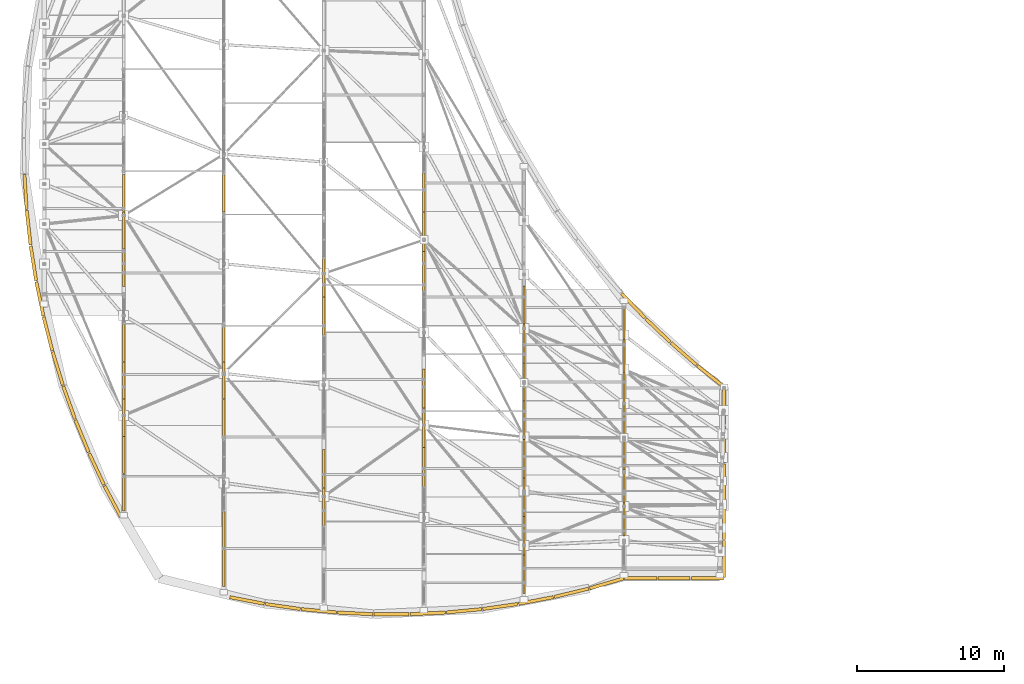
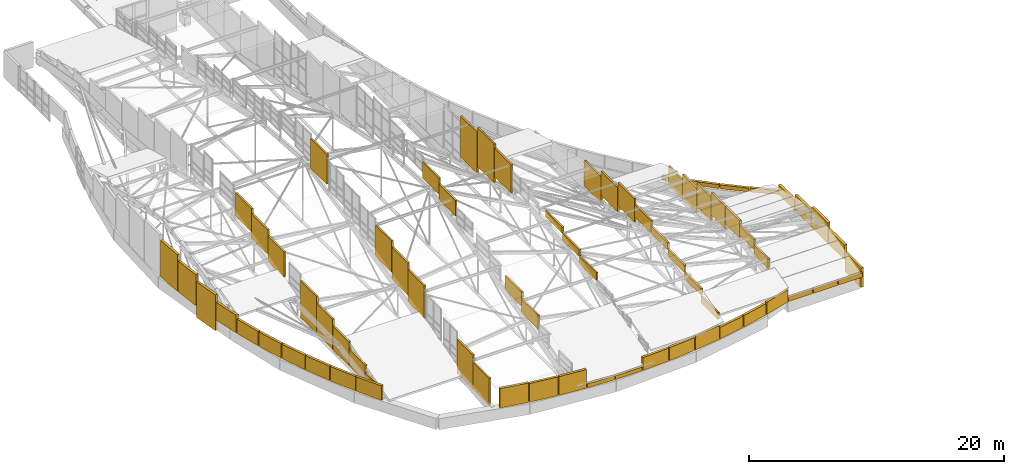
# One storey, part 181 of 188: 72 coverings.
"""IFC4 building model written with IfcOpenShell, lengths in metres."""

from ifc_helpers import new_model, si_unit, direction, frame, origin, origin_2d, place, context, subcontext, project, spatial, rectangle, extrude, material, layer, layer_set, type_object, element, save


model = new_model("IFC4")

# Units and contexts
model_context = context("Model", 3, precision=1e-05, world=origin(), true_north=direction((0.0, 1.0)))
body_context = subcontext(model_context, "Body", "Model", "MODEL_VIEW")
ifc_project = project(units=[si_unit("LENGTHUNIT", "METRE"), si_unit("AREAUNIT", "SQUARE_METRE"), si_unit("VOLUMEUNIT", "CUBIC_METRE"), si_unit("PLANEANGLEUNIT", "RADIAN"), si_unit("MASSUNIT", "GRAM", prefix="KILO")], contexts=[model_context])

# Site, building, storey
site_placement = place(None, origin())
site = spatial("IfcSite", under=ifc_project, at=site_placement, CompositionType="ELEMENT")
building_placement = place(site_placement, origin())
building = spatial("IfcBuilding", under=site, at=building_placement, Name="Kisaragi Civic Commons", CompositionType="ELEMENT")
storey_placement = place(building_placement, frame((0.0, 0.0, 9.60009765625)))
storey = spatial("IfcBuildingStorey", under=building, at=storey_placement, Name="L02", CompositionType="ELEMENT", Elevation=9.60009765625)

# Coverings
ifc_material = material(Name="Extruded Tokoname terracotta rainscreen tile", Category="masonry")
ifc_layer = layer(ifc_material, 0.0400390625, Name="Extruded Tokoname terracotta rainscreen tile", Category="masonry")
ifc_layer_set = layer_set([ifc_layer], Name="Extruded Tokoname terracotta rainscreen tile")
covering_type = type_object("IfcCoveringType", Name="CLD-01", PredefinedType="CLADDING", material=ifc_layer_set)
covering_1_placement = place(storey_placement, frame((6.800048828125, 9.620849609375, -0.420166015625), z_axis=(0.0, 0.0, 1.0), x_axis=(0.0, 1.0, 0.0)))
element("IfcCovering", 1, at=covering_1_placement, inside=storey, type_object=covering_type, Name="V1 L02 wave-step terracotta tympanum cladding 1", PredefinedType="CLADDING", context=body_context, shape_type="SweptSolid", body=[
    extrude(rectangle(XDim=2.519775390625, YDim=0.159912109375, at=origin_2d()), origin(), (0.0, 0.0, 1.0), 0.86669921875),
])
covering_2_placement = place(storey_placement, frame((6.800048828125, 12.16455078125, -0.420166015625), z_axis=(0.0, 0.0, 1.0), x_axis=(0.0, 1.0, 0.0)))
element("IfcCovering", 2, at=covering_2_placement, inside=storey, type_object=covering_type, Name="V1 L02 wave-step terracotta tympanum cladding 2", PredefinedType="CLADDING", context=body_context, shape_type="SweptSolid", body=[
    extrude(rectangle(XDim=2.52001953125, YDim=0.159912109375, at=origin_2d()), origin(), (0.0, 0.0, 1.0), 1.572265625),
])
covering_3_placement = place(storey_placement, frame((6.800048828125, 14.70849609375, -0.420166015625), z_axis=(0.0, 0.0, 1.0), x_axis=(0.0, 1.0, 0.0)))
element("IfcCovering", 3, at=covering_3_placement, inside=storey, type_object=covering_type, Name="V1 L02 wave-step terracotta tympanum cladding 3", PredefinedType="CLADDING", context=body_context, shape_type="SweptSolid", body=[
    extrude(rectangle(XDim=2.52001953125, YDim=0.159912109375, at=origin_2d()), origin(), (0.0, 0.0, 1.0), 2.26318359375),
])
covering_4_placement = place(storey_placement, frame((6.800048828125, 17.25244140625, -0.420166015625), z_axis=(0.0, 0.0, 1.0), x_axis=(0.0, 1.0, 0.0)))
element("IfcCovering", 4, at=covering_4_placement, inside=storey, type_object=covering_type, Name="V1 L02 wave-step terracotta tympanum cladding 4", PredefinedType="CLADDING", context=body_context, shape_type="SweptSolid", body=[
    extrude(rectangle(XDim=2.519775390625, YDim=0.159912109375, at=origin_2d()), origin(), (0.0, 0.0, 1.0), 2.8974609375),
])
covering_5_placement = place(storey_placement, frame((6.800048828125, 19.79638671875, -0.419921875), z_axis=(0.0, 0.0, 1.0), x_axis=(0.0, 1.0, 0.0)))
element("IfcCovering", 5, at=covering_5_placement, inside=storey, type_object=covering_type, Name="V1 L02 wave-step terracotta tympanum cladding 5", PredefinedType="CLADDING", context=body_context, shape_type="SweptSolid", body=[
    extrude(rectangle(XDim=2.52001953125, YDim=0.159912109375, at=origin_2d()), origin(), (0.0, 0.0, 1.0), 3.531494140625),
])
covering_6_placement = place(storey_placement, frame((6.800048828125, 24.884033203125, 1.8857421875), z_axis=(0.0, 0.0, 1.0), x_axis=(0.0, 1.0, 0.0)))
element("IfcCovering", 6, at=covering_6_placement, inside=storey, type_object=covering_type, Name="V1 L02 wave-step terracotta tympanum cladding 6", PredefinedType="CLADDING", context=body_context, shape_type="SweptSolid", body=[
    extrude(rectangle(XDim=2.519775390625, YDim=0.159912109375, at=origin_2d()), origin(), (0.0, 0.0, 1.0), 2.389892578125),
])
covering_7_placement = place(storey_placement, frame((6.800048828125, 27.427734375, 2.52001953125), z_axis=(0.0, 0.0, 1.0), x_axis=(0.0, 1.0, 0.0)))
element("IfcCovering", 7, at=covering_7_placement, inside=storey, type_object=covering_type, Name="V1 L02 wave-step terracotta tympanum cladding 7", PredefinedType="CLADDING", context=body_context, shape_type="SweptSolid", body=[
    extrude(rectangle(XDim=2.52001953125, YDim=0.159912109375, at=origin_2d()), origin(), (0.0, 0.0, 1.0), 2.3193359375),
])
covering_8_placement = place(storey_placement, frame((6.800048828125, 29.9716796875, 3.08544921875), z_axis=(0.0, 0.0, 1.0), x_axis=(0.0, 1.0, 0.0)))
element("IfcCovering", 8, at=covering_8_placement, inside=storey, type_object=covering_type, Name="V1 L02 wave-step terracotta tympanum cladding 8", PredefinedType="CLADDING", context=body_context, shape_type="SweptSolid", body=[
    extrude(rectangle(XDim=2.519775390625, YDim=0.159912109375, at=origin_2d()), origin(), (0.0, 0.0, 1.0), 2.2646484375),
])
covering_9_placement = place(storey_placement, frame((13.60009765625, 4.518798828125, -0.419921875), z_axis=(0.0, 0.0, 1.0), x_axis=(0.0, 1.0, 0.0)))
element("IfcCovering", 9, at=covering_9_placement, inside=storey, type_object=covering_type, Name="V1 L02 wave-step terracotta tympanum cladding 18", PredefinedType="CLADDING", context=body_context, shape_type="SweptSolid", body=[
    extrude(rectangle(XDim=2.5205078125, YDim=0.159912109375, at=origin_2d()), origin(), (0.0, 0.0, 1.0), 2.569091796875),
])
covering_10_placement = place(storey_placement, frame((13.60009765625, 7.063232421875, -0.419921875), z_axis=(0.0, 0.0, 1.0), x_axis=(0.0, 1.0, 0.0)))
element("IfcCovering", 10, at=covering_10_placement, inside=storey, type_object=covering_type, Name="V1 L02 wave-step terracotta tympanum cladding 19", PredefinedType="CLADDING", context=body_context, shape_type="SweptSolid", body=[
    extrude(rectangle(XDim=2.5205078125, YDim=0.159912109375, at=origin_2d()), origin(), (0.0, 0.0, 1.0), 3.274658203125),
])
covering_11_placement = place(storey_placement, frame((13.60009765625, 14.697021484375, 1.7802734375), z_axis=(0.0, 0.0, 1.0), x_axis=(0.0, 1.0, 0.0)))
element("IfcCovering", 11, at=covering_11_placement, inside=storey, type_object=covering_type, Name="V1 L02 wave-step terracotta tympanum cladding 20", PredefinedType="CLADDING", context=body_context, shape_type="SweptSolid", body=[
    extrude(rectangle(XDim=2.5205078125, YDim=0.159912109375, at=origin_2d()), origin(), (0.0, 0.0, 1.0), 3.049072265625),
])
covering_12_placement = place(storey_placement, frame((13.60009765625, 17.241455078125, 2.41455078125), z_axis=(0.0, 0.0, 1.0), x_axis=(0.0, 1.0, 0.0)))
element("IfcCovering", 12, at=covering_12_placement, inside=storey, type_object=covering_type, Name="V1 L02 wave-step terracotta tympanum cladding 21", PredefinedType="CLADDING", context=body_context, shape_type="SweptSolid", body=[
    extrude(rectangle(XDim=2.5205078125, YDim=0.159912109375, at=origin_2d()), origin(), (0.0, 0.0, 1.0), 3.047119140625),
])
covering_13_placement = place(storey_placement, frame((13.60009765625, 19.785888671875, 3.048828125), z_axis=(0.0, 0.0, 1.0), x_axis=(0.0, 1.0, 0.0)))
element("IfcCovering", 13, at=covering_13_placement, inside=storey, type_object=covering_type, Name="V1 L02 wave-step terracotta tympanum cladding 22", PredefinedType="CLADDING", context=body_context, shape_type="SweptSolid", body=[
    extrude(rectangle(XDim=2.5205078125, YDim=0.159912109375, at=origin_2d()), origin(), (0.0, 0.0, 1.0), 2.976806640625),
])
covering_14_placement = place(storey_placement, frame((13.60009765625, 29.9638671875, 5.28857421875), z_axis=(0.0, 0.0, 1.0), x_axis=(0.0, 1.0, 0.0)))
element("IfcCovering", 14, at=covering_14_placement, inside=storey, type_object=covering_type, Name="V1 L02 wave-step terracotta tympanum cladding 23", PredefinedType="CLADDING", context=body_context, shape_type="SweptSolid", body=[
    extrude(rectangle(XDim=2.5205078125, YDim=0.159912109375, at=origin_2d()), origin(), (0.0, 0.0, 1.0), 2.85107421875),
])
covering_15_placement = place(storey_placement, frame((20.39990234375, 8.66552734375, 1.97607421875), z_axis=(0.0, 0.0, 1.0), x_axis=(0.0, 1.0, 0.0)))
element("IfcCovering", 15, at=covering_15_placement, inside=storey, type_object=covering_type, Name="V1 L02 wave-step terracotta tympanum cladding 25", PredefinedType="CLADDING", context=body_context, shape_type="SweptSolid", body=[
    extrude(rectangle(XDim=2.56640625, YDim=0.159912109375, at=origin_2d()), origin(), (0.0, 0.0, 1.0), 1.322998046875),
])
covering_16_placement = place(storey_placement, frame((20.39990234375, 11.256103515625, 2.62158203125), z_axis=(0.0, 0.0, 1.0), x_axis=(0.0, 1.0, 0.0)))
element("IfcCovering", 16, at=covering_16_placement, inside=storey, type_object=covering_type, Name="V1 L02 wave-step terracotta tympanum cladding 26", PredefinedType="CLADDING", context=body_context, shape_type="SweptSolid", body=[
    extrude(rectangle(XDim=2.56640625, YDim=0.159912109375, at=origin_2d()), origin(), (0.0, 0.0, 1.0), 1.349365234375),
])
covering_17_placement = place(storey_placement, frame((20.39990234375, 21.617919921875, 4.967041015625), z_axis=(0.0, 0.0, 1.0), x_axis=(0.0, 1.0, 0.0)))
element("IfcCovering", 17, at=covering_17_placement, inside=storey, type_object=covering_type, Name="V1 L02 wave-step terracotta tympanum cladding 27", PredefinedType="CLADDING", context=body_context, shape_type="SweptSolid", body=[
    extrude(rectangle(XDim=2.56640625, YDim=0.159912109375, at=origin_2d()), origin(), (0.0, 0.0, 1.0), 1.46484375),
])
covering_18_placement = place(storey_placement, frame((20.39990234375, 24.208251953125, 5.470458984375), z_axis=(0.0, 0.0, 1.0), x_axis=(0.0, 1.0, 0.0)))
element("IfcCovering", 18, at=covering_18_placement, inside=storey, type_object=covering_type, Name="V1 L02 wave-step terracotta tympanum cladding 28", PredefinedType="CLADDING", context=body_context, shape_type="SweptSolid", body=[
    extrude(rectangle(XDim=2.56640625, YDim=0.159912109375, at=origin_2d()), origin(), (0.0, 0.0, 1.0), 1.53564453125),
])
covering_19_placement = place(storey_placement, frame((27.199951171875, 11.357666015625, 2.64697265625), z_axis=(0.0, 0.0, 1.0), x_axis=(0.0, 1.0, 0.0)))
element("IfcCovering", 19, at=covering_19_placement, inside=storey, type_object=covering_type, Name="V1 L02 wave-step terracotta tympanum cladding 37", PredefinedType="CLADDING", context=body_context, shape_type="SweptSolid", body=[
    extrude(rectangle(XDim=2.640380859375, YDim=0.159912109375, at=origin_2d()), origin(), (0.0, 0.0, 1.0), 0.751708984375),
])
covering_20_placement = place(storey_placement, frame((27.199951171875, 14.022216796875, 3.3115234375), z_axis=(0.0, 0.0, 1.0), x_axis=(0.0, 1.0, 0.0)))
element("IfcCovering", 20, at=covering_20_placement, inside=storey, type_object=covering_type, Name="V1 L02 wave-step terracotta tympanum cladding 38", PredefinedType="CLADDING", context=body_context, shape_type="SweptSolid", body=[
    extrude(rectangle(XDim=2.640380859375, YDim=0.159912109375, at=origin_2d()), origin(), (0.0, 0.0, 1.0), 0.65576171875),
])
covering_21_placement = place(storey_placement, frame((27.199951171875, 16.6865234375, 3.903564453125), z_axis=(0.0, 0.0, 1.0), x_axis=(0.0, 1.0, 0.0)))
element("IfcCovering", 21, at=covering_21_placement, inside=storey, type_object=covering_type, Name="V1 L02 wave-step terracotta tympanum cladding 39", PredefinedType="CLADDING", context=body_context, shape_type="SweptSolid", body=[
    extrude(rectangle(XDim=2.640380859375, YDim=0.159912109375, at=origin_2d()), origin(), (0.0, 0.0, 1.0), 0.58154296875),
])
covering_22_placement = place(storey_placement, frame((27.199951171875, 24.679931640625, 2.9248046875), z_axis=(0.0, 0.0, 1.0), x_axis=(0.0, 1.0, 0.0)))
element("IfcCovering", 22, at=covering_22_placement, inside=storey, type_object=covering_type, Name="V1 L02 wave-step terracotta tympanum cladding 40", PredefinedType="CLADDING", context=body_context, shape_type="SweptSolid", body=[
    extrude(rectangle(XDim=2.640380859375, YDim=0.159912109375, at=origin_2d()), origin(), (0.0, 0.0, 1.0), 2.697509765625),
])
covering_23_placement = place(storey_placement, frame((27.199951171875, 27.34423828125, 2.26513671875), z_axis=(0.0, 0.0, 1.0), x_axis=(0.0, 1.0, 0.0)))
element("IfcCovering", 23, at=covering_23_placement, inside=storey, type_object=covering_type, Name="V1 L02 wave-step terracotta tympanum cladding 41", PredefinedType="CLADDING", context=body_context, shape_type="SweptSolid", body=[
    extrude(rectangle(XDim=2.640380859375, YDim=0.159912109375, at=origin_2d()), origin(), (0.0, 0.0, 1.0), 3.732421875),
])
covering_24_placement = place(storey_placement, frame((27.199951171875, 30.0087890625, 1.565185546875), z_axis=(0.0, 0.0, 1.0), x_axis=(0.0, 1.0, 0.0)))
element("IfcCovering", 24, at=covering_24_placement, inside=storey, type_object=covering_type, Name="V1 L02 wave-step terracotta tympanum cladding 42", PredefinedType="CLADDING", context=body_context, shape_type="SweptSolid", body=[
    extrude(rectangle(XDim=2.640380859375, YDim=0.159912109375, at=origin_2d()), origin(), (0.0, 0.0, 1.0), 3.91455078125),
])
covering_25_placement = place(storey_placement, frame((34.0, 4.073486328125, 0.950927734375), z_axis=(0.0, 0.0, 1.0), x_axis=(0.0, 1.0, 0.0)))
element("IfcCovering", 25, at=covering_25_placement, inside=storey, type_object=covering_type, Name="V1 L02 wave-step terracotta tympanum cladding 50", PredefinedType="CLADDING", context=body_context, shape_type="SweptSolid", body=[
    extrude(rectangle(XDim=2.591552734375, YDim=0.159912109375, at=origin_2d()), origin(), (0.0, 0.0, 1.0), 0.64990234375),
])
covering_26_placement = place(storey_placement, frame((34.0, 6.689208984375, 1.650146484375), z_axis=(0.0, 0.0, 1.0), x_axis=(0.0, 1.0, 0.0)))
element("IfcCovering", 26, at=covering_26_placement, inside=storey, type_object=covering_type, Name="V1 L02 wave-step terracotta tympanum cladding 51", PredefinedType="CLADDING", context=body_context, shape_type="SweptSolid", body=[
    extrude(rectangle(XDim=2.591552734375, YDim=0.159912109375, at=origin_2d()), origin(), (0.0, 0.0, 1.0), 0.64111328125),
])
covering_27_placement = place(storey_placement, frame((34.0, 9.3046875, 2.27392578125), z_axis=(0.0, 0.0, 1.0), x_axis=(0.0, 1.0, 0.0)))
element("IfcCovering", 27, at=covering_27_placement, inside=storey, type_object=covering_type, Name="V1 L02 wave-step terracotta tympanum cladding 52", PredefinedType="CLADDING", context=body_context, shape_type="SweptSolid", body=[
    extrude(rectangle(XDim=2.59130859375, YDim=0.159912109375, at=origin_2d()), origin(), (0.0, 0.0, 1.0), 0.66943359375),
])
covering_28_placement = place(storey_placement, frame((34.0, 11.919921875, 2.823486328125), z_axis=(0.0, 0.0, 1.0), x_axis=(0.0, 1.0, 0.0)))
element("IfcCovering", 28, at=covering_28_placement, inside=storey, type_object=covering_type, Name="V1 L02 wave-step terracotta tympanum cladding 53", PredefinedType="CLADDING", context=body_context, shape_type="SweptSolid", body=[
    extrude(rectangle(XDim=2.591552734375, YDim=0.159912109375, at=origin_2d()), origin(), (0.0, 0.0, 1.0), 0.7001953125),
])
covering_29_placement = place(storey_placement, frame((34.0, 14.53564453125, 2.86865234375), z_axis=(0.0, 0.0, 1.0), x_axis=(0.0, 1.0, 0.0)))
element("IfcCovering", 29, at=covering_29_placement, inside=storey, type_object=covering_type, Name="V1 L02 wave-step terracotta tympanum cladding 54", PredefinedType="CLADDING", context=body_context, shape_type="SweptSolid", body=[
    extrude(rectangle(XDim=2.591552734375, YDim=0.159912109375, at=origin_2d()), origin(), (0.0, 0.0, 1.0), 1.198486328125),
])
covering_30_placement = place(storey_placement, frame((34.0, 17.15087890625, 2.3251953125), z_axis=(0.0, 0.0, 1.0), x_axis=(0.0, 1.0, 0.0)))
element("IfcCovering", 30, at=covering_30_placement, inside=storey, type_object=covering_type, Name="V1 L02 wave-step terracotta tympanum cladding 55", PredefinedType="CLADDING", context=body_context, shape_type="SweptSolid", body=[
    extrude(rectangle(XDim=2.591552734375, YDim=0.159912109375, at=origin_2d()), origin(), (0.0, 0.0, 1.0), 2.224365234375),
])
covering_31_placement = place(storey_placement, frame((34.0, 19.7666015625, 1.7080078125), z_axis=(0.0, 0.0, 1.0), x_axis=(0.0, 1.0, 0.0)))
element("IfcCovering", 31, at=covering_31_placement, inside=storey, type_object=covering_type, Name="V1 L02 wave-step terracotta tympanum cladding 56", PredefinedType="CLADDING", context=body_context, shape_type="SweptSolid", body=[
    extrude(rectangle(XDim=2.591552734375, YDim=0.159912109375, at=origin_2d()), origin(), (0.0, 0.0, 1.0), 2.33349609375),
])
covering_32_placement = place(storey_placement, frame((34.0, 22.382080078125, 1.015380859375), z_axis=(0.0, 0.0, 1.0), x_axis=(0.0, 1.0, 0.0)))
element("IfcCovering", 32, at=covering_32_placement, inside=storey, type_object=covering_type, Name="V1 L02 wave-step terracotta tympanum cladding 57", PredefinedType="CLADDING", context=body_context, shape_type="SweptSolid", body=[
    extrude(rectangle(XDim=2.591552734375, YDim=0.159912109375, at=origin_2d()), origin(), (0.0, 0.0, 1.0), 2.47900390625),
])
covering_33_placement = place(storey_placement, frame((40.800048828125, 7.784423828125, 1.05712890625), z_axis=(0.0, 0.0, 1.0), x_axis=(0.0, 1.0, 0.0)))
element("IfcCovering", 33, at=covering_33_placement, inside=storey, type_object=covering_type, Name="V1 L02 wave-step terracotta tympanum cladding 61", PredefinedType="CLADDING", context=body_context, shape_type="SweptSolid", body=[
    extrude(rectangle(XDim=2.21240234375, YDim=0.159912109375, at=origin_2d()), origin(), (0.0, 0.0, 1.0), 0.92578125),
])
covering_34_placement = place(storey_placement, frame((40.800048828125, 10.020751953125, 1.52099609375), z_axis=(0.0, 0.0, 1.0), x_axis=(0.0, 1.0, 0.0)))
element("IfcCovering", 34, at=covering_34_placement, inside=storey, type_object=covering_type, Name="V1 L02 wave-step terracotta tympanum cladding 62", PredefinedType="CLADDING", context=body_context, shape_type="SweptSolid", body=[
    extrude(rectangle(XDim=2.21240234375, YDim=0.159912109375, at=origin_2d()), origin(), (0.0, 0.0, 1.0), 0.971435546875),
])
covering_35_placement = place(storey_placement, frame((40.800048828125, 12.257080078125, 1.314453125), z_axis=(0.0, 0.0, 1.0), x_axis=(0.0, 1.0, 0.0)))
element("IfcCovering", 35, at=covering_35_placement, inside=storey, type_object=covering_type, Name="V1 L02 wave-step terracotta tympanum cladding 63", PredefinedType="CLADDING", context=body_context, shape_type="SweptSolid", body=[
    extrude(rectangle(XDim=2.21240234375, YDim=0.159912109375, at=origin_2d()), origin(), (0.0, 0.0, 1.0), 1.634521484375),
])
covering_36_placement = place(storey_placement, frame((40.800048828125, 14.493408203125, 0.810546875), z_axis=(0.0, 0.0, 1.0), x_axis=(0.0, 1.0, 0.0)))
element("IfcCovering", 36, at=covering_36_placement, inside=storey, type_object=covering_type, Name="V1 L02 wave-step terracotta tympanum cladding 64", PredefinedType="CLADDING", context=body_context, shape_type="SweptSolid", body=[
    extrude(rectangle(XDim=2.21240234375, YDim=0.159912109375, at=origin_2d()), origin(), (0.0, 0.0, 1.0), 2.126220703125),
])
covering_37_placement = place(storey_placement, frame((40.800048828125, 16.72998046875, 0.228271484375), z_axis=(0.0, 0.0, 1.0), x_axis=(0.0, 1.0, 0.0)))
element("IfcCovering", 37, at=covering_37_placement, inside=storey, type_object=covering_type, Name="V1 L02 wave-step terracotta tympanum cladding 65", PredefinedType="CLADDING", context=body_context, shape_type="SweptSolid", body=[
    extrude(rectangle(XDim=2.21240234375, YDim=0.159912109375, at=origin_2d()), origin(), (0.0, 0.0, 1.0), 2.25048828125),
])
covering_38_placement = place(storey_placement, frame((40.800048828125, 18.96630859375, -0.420166015625), z_axis=(0.0, 0.0, 1.0), x_axis=(0.0, 1.0, 0.0)))
element("IfcCovering", 38, at=covering_38_placement, inside=storey, type_object=covering_type, Name="V1 L02 wave-step terracotta tympanum cladding 66", PredefinedType="CLADDING", context=body_context, shape_type="SweptSolid", body=[
    extrude(rectangle(XDim=2.21240234375, YDim=0.159912109375, at=origin_2d()), origin(), (0.0, 0.0, 1.0), 2.3876953125),
])
covering_39_placement = place(storey_placement, frame((40.800048828125, 21.20263671875, -0.419921875), z_axis=(0.0, 0.0, 1.0), x_axis=(0.0, 1.0, 0.0)))
element("IfcCovering", 39, at=covering_39_placement, inside=storey, type_object=covering_type, Name="V1 L02 wave-step terracotta tympanum cladding 67", PredefinedType="CLADDING", context=body_context, shape_type="SweptSolid", body=[
    extrude(rectangle(XDim=2.21240234375, YDim=0.159912109375, at=origin_2d()), origin(), (0.0, 0.0, 1.0), 1.822509765625),
])
covering_40_placement = place(storey_placement, frame((41.43212890625, 22.324462890625, -0.32421875), z_axis=(0.0, 0.0, 1.0), x_axis=(0.690503771677, -0.723328791975, 0.0)))
element("IfcCovering", 40, at=covering_40_placement, inside=storey, type_object=covering_type, Name="V1 L02 curved terracotta gable cladding 86", PredefinedType="CLADDING", context=body_context, shape_type="SweptSolid", body=[
    extrude(rectangle(XDim=2.28857421875, YDim=0.219970703125, at=origin_2d()), origin(), (0.0, 0.0, 1.0), 0.363037109375),
])
for number, where, z_axis, x_axis, name in (
    (41, (43.10595703125, 20.6494140625, -0.32421875), (0.0, 0.0, 1.0), (0.722725938412, -0.691134732122, 0.0), "V1 L02 curved terracotta gable cladding 87"),
    (42, (44.85400390625, 19.052734375, -0.32421875), (0.0, 0.0, 1.0), (0.753563392302, -0.657375245794, 0.0), "V1 L02 curved terracotta gable cladding 88"),
):
    element("IfcCovering", number, at=place(storey_placement, frame(where, z_axis=z_axis, x_axis=x_axis)), inside=storey, type_object=covering_type, Name=name, PredefinedType="CLADDING", context=body_context, shape_type="SweptSolid", body=[
        extrude(rectangle(XDim=2.288330078125, YDim=0.219970703125, at=origin_2d()), origin(), (0.0, 0.0, 1.0), 0.363037109375),
    ])
covering_41_placement = place(storey_placement, frame((46.673095703125, 17.537109375, -0.32421875), z_axis=(0.0, 0.0, 1.0), x_axis=(0.782608156852, -0.622514636638, 0.0)))
element("IfcCovering", 43, at=covering_41_placement, inside=storey, type_object=covering_type, Name="V1 L02 curved terracotta gable cladding 89", PredefinedType="CLADDING", context=body_context, shape_type="SweptSolid", body=[
    extrude(rectangle(XDim=2.288330078125, YDim=0.219970703125, at=origin_2d()), origin(), (0.0, 0.0, 1.0), 0.380615234375),
])
covering_42_placement = place(storey_placement, frame((47.60009765625, 15.5, -0.323974609375), z_axis=(0.0, 0.0, 1.0), x_axis=(0.0, -1.0, 0.0)))
element("IfcCovering", 44, at=covering_42_placement, inside=storey, type_object=covering_type, Name="V1 L02 curved terracotta gable cladding 90", PredefinedType="CLADDING", context=body_context, shape_type="SweptSolid", body=[
    extrude(rectangle(XDim=2.52001953125, YDim=0.219970703125, at=origin_2d()), origin(), (0.0, 0.0, 1.0), 0.935546875),
])
covering_43_placement = place(storey_placement, frame((47.60009765625, 12.89990234375, -0.32421875), z_axis=(0.0, 0.0, 1.0), x_axis=(0.0, -1.0, 0.0)))
element("IfcCovering", 45, at=covering_43_placement, inside=storey, type_object=covering_type, Name="V1 L02 curved terracotta gable cladding 91", PredefinedType="CLADDING", context=body_context, shape_type="SweptSolid", body=[
    extrude(rectangle(XDim=2.52001953125, YDim=0.219970703125, at=origin_2d()), origin(), (0.0, 0.0, 1.0), 1.550537109375),
])
covering_44_placement = place(storey_placement, frame((47.60009765625, 10.300048828125, -0.32421875), z_axis=(0.0, 0.0, 1.0), x_axis=(0.0, -1.0, 0.0)))
element("IfcCovering", 46, at=covering_44_placement, inside=storey, type_object=covering_type, Name="V1 L02 curved terracotta gable cladding 92", PredefinedType="CLADDING", context=body_context, shape_type="SweptSolid", body=[
    extrude(rectangle(XDim=2.52001953125, YDim=0.219970703125, at=origin_2d()), origin(), (0.0, 0.0, 1.0), 1.95166015625),
])
covering_45_placement = place(storey_placement, frame((47.60009765625, 7.699951171875, -0.32421875), z_axis=(0.0, 0.0, 1.0), x_axis=(0.0, -1.0, 0.0)))
element("IfcCovering", 47, at=covering_45_placement, inside=storey, type_object=covering_type, Name="V1 L02 curved terracotta gable cladding 93", PredefinedType="CLADDING", context=body_context, shape_type="SweptSolid", body=[
    extrude(rectangle(XDim=2.52001953125, YDim=0.219970703125, at=origin_2d()), origin(), (0.0, 0.0, 1.0), 1.41455078125),
])
covering_46_placement = place(storey_placement, frame((47.60009765625, 5.10009765625, -1.39892578125), z_axis=(0.0, 0.0, 1.0), x_axis=(0.0, -1.0, 0.0)))
element("IfcCovering", 48, at=covering_46_placement, inside=storey, type_object=covering_type, Name="V1 L02 curved terracotta gable cladding 94", PredefinedType="CLADDING", context=body_context, shape_type="SweptSolid", body=[
    extrude(rectangle(XDim=2.52001953125, YDim=0.219970703125, at=origin_2d()), origin(), (0.0, 0.0, 1.0), 1.85009765625),
])
covering_47_placement = place(storey_placement, frame((46.466796875, 3.800048828125, -0.32421875), z_axis=(0.0, 0.0, 1.0), x_axis=(-1.0, 0.0, 0.0)))
element("IfcCovering", 49, at=covering_47_placement, inside=storey, type_object=covering_type, Name="V1 L02 curved terracotta gable cladding 95", PredefinedType="CLADDING", context=body_context, shape_type="SweptSolid", body=[
    extrude(rectangle(XDim=2.186767578125, YDim=0.219970703125, at=origin_2d()), origin(), (0.0, 0.0, 1.0), 0.414794921875),
])
covering_48_placement = place(storey_placement, frame((44.199951171875, 3.800048828125, -0.32421875), z_axis=(0.0, 0.0, 1.0), x_axis=(-1.0, 0.0, 0.0)))
element("IfcCovering", 50, at=covering_48_placement, inside=storey, type_object=covering_type, Name="V1 L02 curved terracotta gable cladding 96", PredefinedType="CLADDING", context=body_context, shape_type="SweptSolid", body=[
    extrude(rectangle(XDim=2.1865234375, YDim=0.219970703125, at=origin_2d()), origin(), (0.0, 0.0, 1.0), 0.414794921875),
])
covering_49_placement = place(storey_placement, frame((41.933349609375, 3.800048828125, -0.32421875), z_axis=(0.0, 0.0, 1.0), x_axis=(-1.0, 0.0, 0.0)))
element("IfcCovering", 51, at=covering_49_placement, inside=storey, type_object=covering_type, Name="V1 L02 curved terracotta gable cladding 97", PredefinedType="CLADDING", context=body_context, shape_type="SweptSolid", body=[
    extrude(rectangle(XDim=2.186767578125, YDim=0.219970703125, at=origin_2d()), origin(), (0.0, 0.0, 1.0), 0.414794921875),
])
covering_50_placement = place(storey_placement, frame((39.614990234375, 3.452880859375, -0.323974609375), z_axis=(0.0, 0.0, 1.0), x_axis=(-0.959658203669, -0.2811692233, 0.0)))
element("IfcCovering", 52, at=covering_50_placement, inside=storey, type_object=covering_type, Name="V1 L02 curved terracotta gable cladding 98", PredefinedType="CLADDING", context=body_context, shape_type="SweptSolid", body=[
    extrude(rectangle(XDim=2.3896484375, YDim=0.219970703125, at=origin_2d()), origin(), (0.0, 0.0, 1.0), 1.15478515625),
])
covering_51_placement = place(storey_placement, frame((37.229736328125, 2.815185546875, -0.32421875), z_axis=(0.0, 0.0, 1.0), x_axis=(-0.971919945734, -0.235311748717, 0.0)))
element("IfcCovering", 53, at=covering_51_placement, inside=storey, type_object=covering_type, Name="V1 L02 curved terracotta gable cladding 99", PredefinedType="CLADDING", context=body_context, shape_type="SweptSolid", body=[
    extrude(rectangle(XDim=2.3896484375, YDim=0.219970703125, at=origin_2d()), origin(), (0.0, 0.0, 1.0), 1.09033203125),
])
covering_52_placement = place(storey_placement, frame((34.817138671875, 2.29150390625, -0.32421875), z_axis=(0.0, 0.0, 1.0), x_axis=(-0.982024659632, -0.188752663223, 0.0)))
element("IfcCovering", 54, at=covering_52_placement, inside=storey, type_object=covering_type, Name="V1 L02 curved terracotta gable cladding 100", PredefinedType="CLADDING", context=body_context, shape_type="SweptSolid", body=[
    extrude(rectangle(XDim=2.389404296875, YDim=0.219970703125, at=origin_2d()), origin(), (0.0, 0.0, 1.0), 1.09033203125),
])
covering_53_placement = place(storey_placement, frame((32.38232421875, 1.883056640625, -0.32421875), z_axis=(0.0, 0.0, 1.0), x_axis=(-0.989875563477, -0.14193790484, 0.0)))
element("IfcCovering", 55, at=covering_53_placement, inside=storey, type_object=covering_type, Name="V1 L02 curved terracotta gable cladding 101", PredefinedType="CLADDING", context=body_context, shape_type="SweptSolid", body=[
    extrude(rectangle(XDim=2.3896484375, YDim=0.219970703125, at=origin_2d()), origin(), (0.0, 0.0, 1.0), 1.309326171875),
])
covering_54_placement = place(storey_placement, frame((29.930908203125, 1.590576171875, -0.32421875), z_axis=(0.0, 0.0, 1.0), x_axis=(-0.995496021999, -0.094803323696, 0.0)))
element("IfcCovering", 56, at=covering_54_placement, inside=storey, type_object=covering_type, Name="V1 L02 curved terracotta gable cladding 102", PredefinedType="CLADDING", context=body_context, shape_type="SweptSolid", body=[
    extrude(rectangle(XDim=2.3896484375, YDim=0.219970703125, at=origin_2d()), origin(), (0.0, 0.0, 1.0), 1.228271484375),
])
covering_55_placement = place(storey_placement, frame((27.46826171875, 1.414794921875, -0.32421875), z_axis=(0.0, 0.0, 1.0), x_axis=(-0.998873370853, -0.047455126176, 0.0)))
element("IfcCovering", 57, at=covering_55_placement, inside=storey, type_object=covering_type, Name="V1 L02 curved terracotta gable cladding 103", PredefinedType="CLADDING", context=body_context, shape_type="SweptSolid", body=[
    extrude(rectangle(XDim=2.389404296875, YDim=0.219970703125, at=origin_2d()), origin(), (0.0, 0.0, 1.0), 1.219482421875),
])
covering_56_placement = place(storey_placement, frame((25.0, 1.356201171875, -0.32421875), z_axis=(0.0, 0.0, 1.0), x_axis=(-1.0, 0.0, 0.0)))
element("IfcCovering", 58, at=covering_56_placement, inside=storey, type_object=covering_type, Name="V1 L02 curved terracotta gable cladding 104", PredefinedType="CLADDING", context=body_context, shape_type="SweptSolid", body=[
    extrude(rectangle(XDim=2.3896484375, YDim=0.219970703125, at=origin_2d()), origin(), (0.0, 0.0, 1.0), 0.35400390625),
])
covering_57_placement = place(storey_placement, frame((22.53173828125, 1.414794921875, -0.32421875), z_axis=(0.0, 0.0, 1.0), x_axis=(-0.998873370853, 0.047455126176, 0.0)))
element("IfcCovering", 59, at=covering_57_placement, inside=storey, type_object=covering_type, Name="V1 L02 curved terracotta gable cladding 105", PredefinedType="CLADDING", context=body_context, shape_type="SweptSolid", body=[
    extrude(rectangle(XDim=2.389404296875, YDim=0.219970703125, at=origin_2d()), origin(), (0.0, 0.0, 1.0), 0.370361328125),
])
for number, where, z_axis, x_axis, name in (
    (60, (20.069091796875, 1.590576171875, -0.32421875), (0.0, 0.0, 1.0), (-0.995496021999, 0.094803323696, 0.0), "V1 L02 curved terracotta gable cladding 106"),
    (61, (17.61767578125, 1.883056640625, -0.32421875), (0.0, 0.0, 1.0), (-0.989875563477, 0.14193790484, 0.0), "V1 L02 curved terracotta gable cladding 107"),
):
    element("IfcCovering", number, at=place(storey_placement, frame(where, z_axis=z_axis, x_axis=x_axis)), inside=storey, type_object=covering_type, Name=name, PredefinedType="CLADDING", context=body_context, shape_type="SweptSolid", body=[
        extrude(rectangle(XDim=2.3896484375, YDim=0.219970703125, at=origin_2d()), origin(), (0.0, 0.0, 1.0), 1.77783203125),
    ])
covering_58_placement = place(storey_placement, frame((15.182861328125, 2.29150390625, -0.32421875), z_axis=(0.0, 0.0, 1.0), x_axis=(-0.982024659632, 0.188752663223, 0.0)))
element("IfcCovering", 62, at=covering_58_placement, inside=storey, type_object=covering_type, Name="V1 L02 curved terracotta gable cladding 108", PredefinedType="CLADDING", context=body_context, shape_type="SweptSolid", body=[
    extrude(rectangle(XDim=2.389404296875, YDim=0.219970703125, at=origin_2d()), origin(), (0.0, 0.0, 1.0), 1.847412109375),
])
covering_59_placement = place(storey_placement, frame((6.0458984375, 9.03271484375, -0.32421875), z_axis=(0.0, 0.0, 1.0), x_axis=(-0.467158405181, 0.88417363932, 0.0)))
element("IfcCovering", 63, at=covering_59_placement, inside=storey, type_object=covering_type, Name="V1 L02 curved terracotta gable cladding 109", PredefinedType="CLADDING", context=body_context, shape_type="SweptSolid", body=[
    extrude(rectangle(XDim=2.365234375, YDim=0.219970703125, at=origin_2d()), origin(), (0.0, 0.0, 1.0), 1.37109375),
])
for number, where, z_axis, x_axis, name in (
    (64, (4.955078125, 11.220703125, -0.32421875), (0.0, 0.0, 1.0), (-0.424989518979, 0.905198270413, 0.0), "V1 L02 curved terracotta gable cladding 110"),
    (65, (3.96826171875, 13.45751953125, -0.32421875), (0.0, 0.0, 1.0), (-0.38203834957, 0.924146470781, 0.0), "V1 L02 curved terracotta gable cladding 111"),
    (66, (3.087890625, 15.738037109375, -0.32421875), (0.0, 0.0, 1.0), (-0.338080979059, 0.941117023328, 0.0), "V1 L02 curved terracotta gable cladding 112"),
    (67, (2.3154296875, 18.0576171875, -0.32421875), (0.0, 0.0, 1.0), (-0.293539832896, 0.955946842928, 0.0), "V1 L02 curved terracotta gable cladding 113"),
    (68, (1.653076171875, 20.410888671875, -0.32421875), (0.0, 0.0, 1.0), (-0.248182704141, 0.968713242072, 0.0), "V1 L02 curved terracotta gable cladding 114"),
):
    element("IfcCovering", number, at=place(storey_placement, frame(where, z_axis=z_axis, x_axis=x_axis)), inside=storey, type_object=covering_type, Name=name, PredefinedType="CLADDING", context=body_context, shape_type="SweptSolid", body=[
        extrude(rectangle(XDim=2.365478515625, YDim=0.219970703125, at=origin_2d()), origin(), (0.0, 0.0, 1.0), 1.37109375),
    ])
covering_60_placement = place(storey_placement, frame((1.10205078125, 22.792724609375, -0.32421875), z_axis=(0.0, 0.0, 1.0), x_axis=(-0.202445469766, 0.979293537082, 0.0)))
element("IfcCovering", 69, at=covering_60_placement, inside=storey, type_object=covering_type, Name="V1 L02 curved terracotta gable cladding 115", PredefinedType="CLADDING", context=body_context, shape_type="SweptSolid", body=[
    extrude(rectangle(XDim=2.365478515625, YDim=0.219970703125, at=origin_2d()), origin(), (0.0, 0.0, 1.0), 1.691162109375),
])
covering_61_placement = place(storey_placement, frame((0.663818359375, 25.197998046875, -1.39892578125), z_axis=(0.0, 0.0, 1.0), x_axis=(-0.156262078523, 0.987715628516, 0.0)))
element("IfcCovering", 70, at=covering_61_placement, inside=storey, type_object=covering_type, Name="V1 L02 curved terracotta gable cladding 116", PredefinedType="CLADDING", context=body_context, shape_type="SweptSolid", body=[
    extrude(rectangle(XDim=2.365478515625, YDim=0.219970703125, at=origin_2d()), origin(), (0.0, 0.0, 1.0), 3.415283203125),
])
covering_62_placement = place(storey_placement, frame((0.3388671875, 27.62109375, -0.32421875), z_axis=(0.0, 0.0, 1.0), x_axis=(-0.109560830507, 0.993980092567, 0.0)))
element("IfcCovering", 71, at=covering_62_placement, inside=storey, type_object=covering_type, Name="V1 L02 curved terracotta gable cladding 117", PredefinedType="CLADDING", context=body_context, shape_type="SweptSolid", body=[
    extrude(rectangle(XDim=2.365234375, YDim=0.219970703125, at=origin_2d()), origin(), (0.0, 0.0, 1.0), 2.9404296875),
])
covering_63_placement = place(storey_placement, frame((0.12841796875, 30.056640625, -0.32421875), z_axis=(0.0, 0.0, 1.0), x_axis=(-0.06261633005, 0.99803767224, 0.0)))
element("IfcCovering", 72, at=covering_63_placement, inside=storey, type_object=covering_type, Name="V1 L02 curved terracotta gable cladding 118", PredefinedType="CLADDING", context=body_context, shape_type="SweptSolid", body=[
    extrude(rectangle(XDim=2.365478515625, YDim=0.219970703125, at=origin_2d()), origin(), (0.0, 0.0, 1.0), 3.48046875),
])

save(model, "model.ifc")
